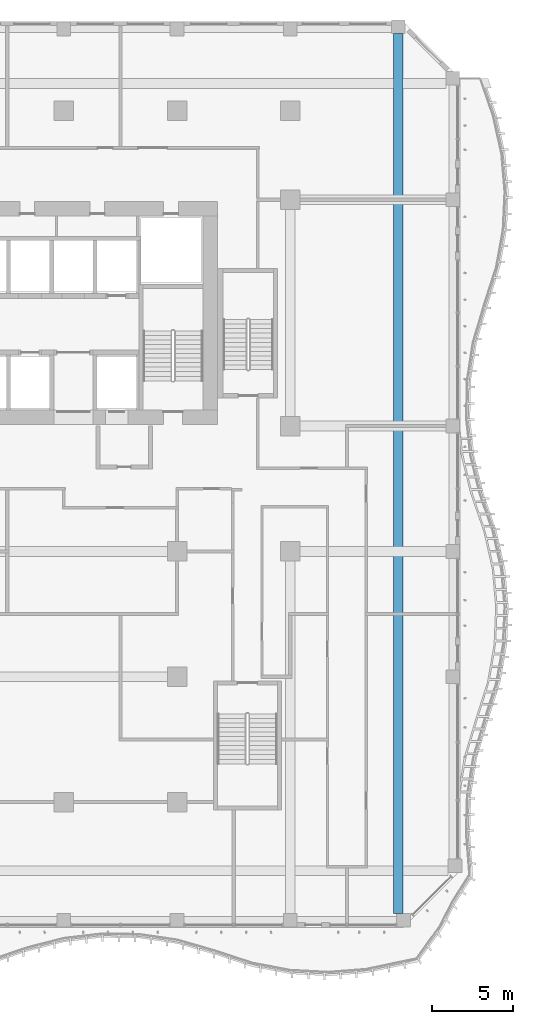
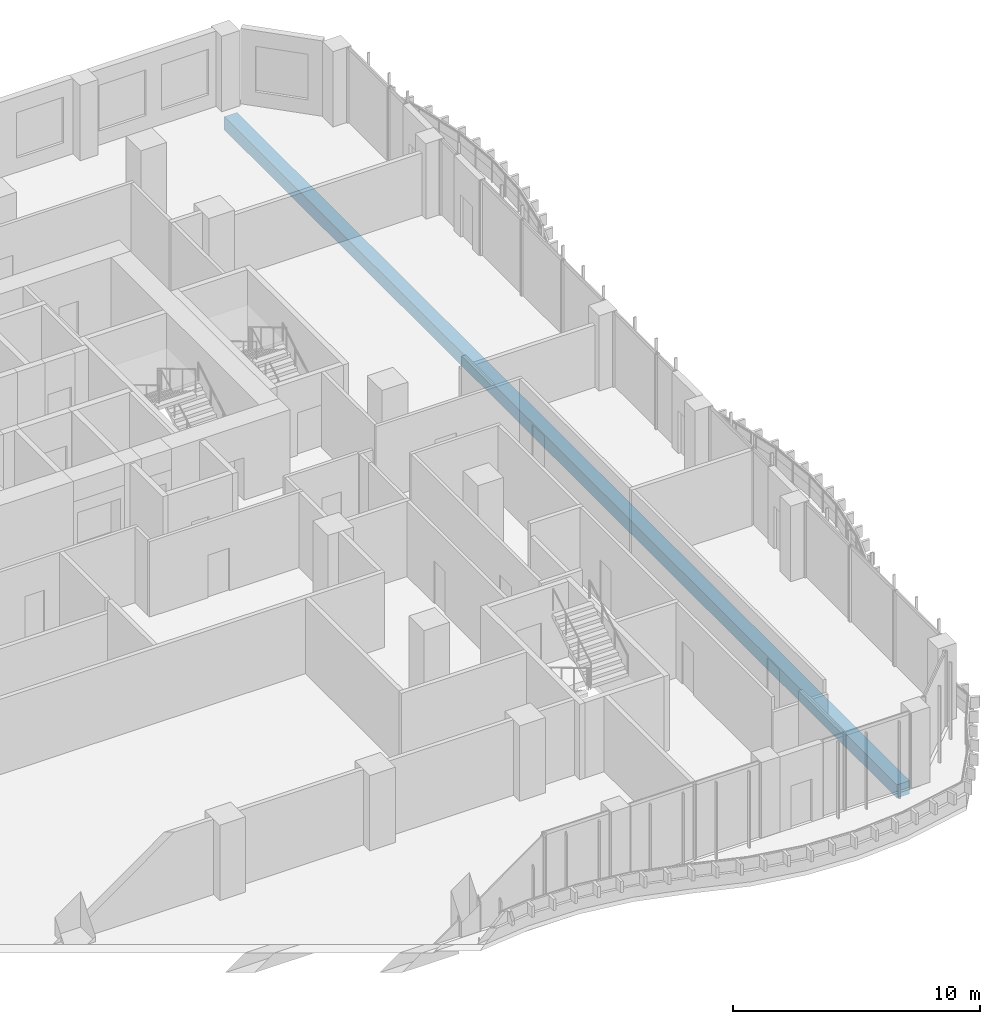
# One storey, part 5 of 25: 1 beam.
"""IFC4 building model written with IfcOpenShell, lengths in metres."""

from ifc_helpers import new_model, si_unit, direction, frame, origin, origin_2d, place, context, subcontext, project, spatial, rectangle, extrude, source, transform, mapped, material, material_profile, profile_set, type_object, element, save


model = new_model("IFC4")

# Units and contexts
model_context = context("Model", 3, precision=1e-05, world=origin(), true_north=direction((0.0, 1.0)))
body_context = subcontext(model_context, "Body", "Model", "MODEL_VIEW")
ifc_project = project(units=[si_unit("LENGTHUNIT", "METRE"), si_unit("AREAUNIT", "SQUARE_METRE"), si_unit("VOLUMEUNIT", "CUBIC_METRE"), si_unit("PLANEANGLEUNIT", "RADIAN"), si_unit("MASSUNIT", "GRAM", prefix="KILO")], contexts=[model_context])

# Site, building, storey
site_placement = place(None, origin())
site = spatial("IfcSite", under=ifc_project, at=site_placement, CompositionType="ELEMENT")
building_placement = place(site_placement, origin())
building = spatial("IfcBuilding", under=site, at=building_placement, Name="Kilnfold Tower and Market Hall", CompositionType="ELEMENT")
storey_placement = place(building_placement, frame((0.0, 0.0, 120.60009765625)))
storey = spatial("IfcBuildingStorey", under=building, at=storey_placement, Name="L28", CompositionType="ELEMENT", Elevation=120.60009765625)

# Beam
ifc_material = material(Name="Concrete C45", Category="concrete")
ifc_material_profile = material_profile(ifc_material, rectangle(XDim=0.60009765625, YDim=0.64990234375, at=origin_2d()), Name="RC 600x650")
ifc_profile_set = profile_set([ifc_material_profile], Name="Concrete C45")
beam_type = type_object("IfcBeamType", Name="BEAM 600X650 C45", PredefinedType="BEAM", material=ifc_profile_set)
shared_shape = source(origin(), body_context, "Body", "SweptSolid", [
    extrude(rectangle(XDim=0.60009765625, YDim=0.64990234375, at=origin_2d()), origin(), (0.0, 0.0, 1.0), 54.3818359375),
])
beam_placement = place(storey_placement, frame((29.179931640625, -22.125, -0.60498046875), z_axis=(0.0, 1.0, 0.0), x_axis=(-1.0, 0.0, 0.0)))
element("IfcBeam", 1, at=beam_placement, inside=storey, type_object=beam_type, Name="Beam BB650-B3.82", PredefinedType="BEAM", context=body_context, shape_type="MappedRepresentation", body=[
    mapped(shared_shape, transform((0.0, 0.0, 0.0))),
])

save(model, "model.ifc")
